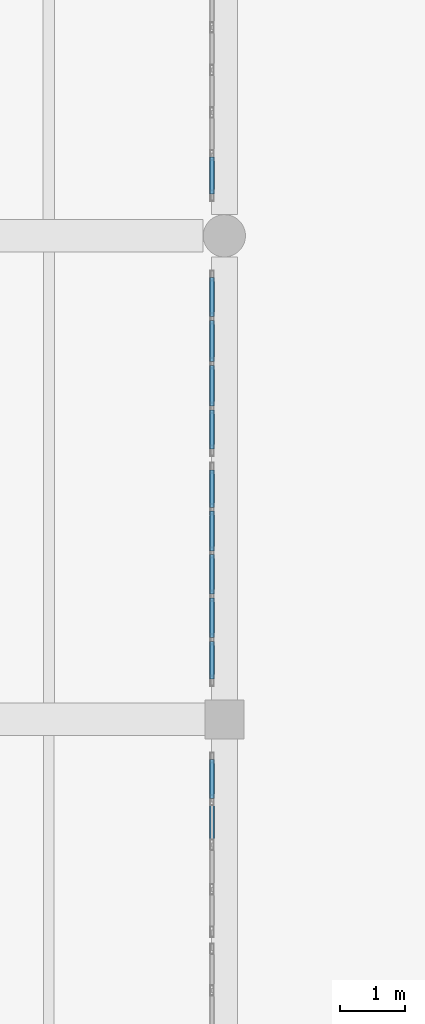
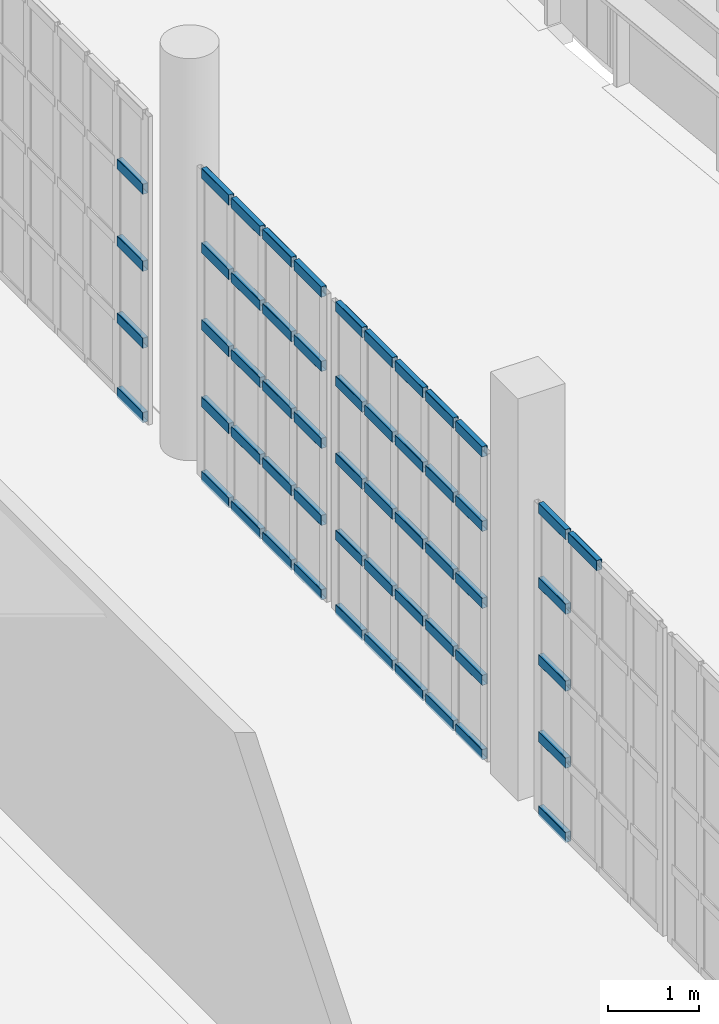
# One storey, part 296 of 372: 55 members, 4 elements without a shape of their own.
"""IFC4 building model written with IfcOpenShell, lengths in metres."""

from ifc_helpers import new_model, si_unit, direction, frame, origin, origin_2d, place, context, subcontext, project, spatial, hollow_rectangle, extrude, material, material_profile, profile_set, type_object, element, aggregate, save


model = new_model("IFC4")

# Units and contexts
model_context = context("Model", 3, precision=1e-05, world=origin(), true_north=direction((0.0, 1.0)))
body_context = subcontext(model_context, "Body", "Model", "MODEL_VIEW")
ifc_project = project(units=[si_unit("LENGTHUNIT", "METRE"), si_unit("AREAUNIT", "SQUARE_METRE"), si_unit("VOLUMEUNIT", "CUBIC_METRE"), si_unit("PLANEANGLEUNIT", "RADIAN"), si_unit("MASSUNIT", "GRAM", prefix="KILO")], contexts=[model_context])

# Site, building, storey
site_placement = place(None, origin())
site = spatial("IfcSite", under=ifc_project, at=site_placement, CompositionType="ELEMENT")
building_placement = place(site_placement, origin())
building = spatial("IfcBuilding", under=site, at=building_placement, Name="Kaelora Sail Theatre", CompositionType="ELEMENT")
storey_placement = place(building_placement, origin())
storey = spatial("IfcBuildingStorey", under=building, at=storey_placement, Name="L00", CompositionType="ELEMENT", Elevation=0.0)

# Curtain wall, members
ifc_material_1 = material(Name="Anodised aluminium and solar-control low-E IGU", Category="aluminium")
curtain_wall_type = type_object("IfcCurtainWallType", Name="ARC-CW-CW-FOY2", PredefinedType="NOTDEFINED", material=ifc_material_1)
curtain_wall_1_placement = place(storey_placement, origin())
curtain_wall_1 = element("IfcCurtainWall", 1, at=curtain_wall_1_placement, inside=storey, type_object=curtain_wall_type, Name="Glazed Colonnade/Courtyard Curtain Wall COLW-E-L00-02", PredefinedType="NOTDEFINED")
ifc_material_2 = material(Name="Anodised aluminium 6063-T6", Category="aluminium")
ifc_material_profile = material_profile(ifc_material_2, hollow_rectangle(XDim=0.070068359375, YDim=0.139892578125, WallThickness=0.00390625, InnerFilletRadius=0.00390625, OuterFilletRadius=0.008056640625, at=origin_2d()), Name="ALU-TRAN 70x140x4")
ifc_profile_set = profile_set([ifc_material_profile], Name="Anodised aluminium 6063-T6")
member_type = type_object("IfcMemberType", Name="ARC-MEM-TR-140", PredefinedType="USERDEFINED", material=ifc_profile_set)
member_1_placement = place(storey_placement, frame((17.510009765625, 36.800048828125, 4.10205078125), z_axis=(0.0, 1.0, 0.0), x_axis=(-1.0, 0.0, 0.0)))
member_1 = element("IfcMember", 2, at=member_1_placement, type_object=member_type, Name="CW-FOY2 transom 3.5", ObjectType="TRANSOM", PredefinedType="USERDEFINED", context=body_context, shape_type="SweptSolid", body=[
    extrude(hollow_rectangle(XDim=0.070068359375, YDim=0.139892578125, WallThickness=0.00390625, InnerFilletRadius=0.00390625, OuterFilletRadius=0.008056640625, at=origin_2d()), origin(), (0.0, 0.0, 1.0), 0.625),
])
member_2_placement = place(storey_placement, frame((17.510009765625, 37.485107421875, 0.034912109375), z_axis=(0.0, 1.0, 0.0), x_axis=(-1.0, 0.0, 0.0)))
member_2 = element("IfcMember", 3, at=member_2_placement, type_object=member_type, Name="CW-FOY2 transom 4.1", ObjectType="TRANSOM", PredefinedType="USERDEFINED", context=body_context, shape_type="SweptSolid", body=[
    extrude(hollow_rectangle(XDim=0.070068359375, YDim=0.139892578125, WallThickness=0.00390625, InnerFilletRadius=0.00390625, OuterFilletRadius=0.008056640625, at=origin_2d()), origin(), (0.0, 0.0, 1.0), 0.594970703125),
])
member_3_placement = place(storey_placement, frame((17.510009765625, 37.485107421875, 1.0341796875), z_axis=(0.0, 1.0, 0.0), x_axis=(-1.0, 0.0, 0.0)))
member_3 = element("IfcMember", 4, at=member_3_placement, type_object=member_type, Name="CW-FOY2 transom 4.2", ObjectType="TRANSOM", PredefinedType="USERDEFINED", context=body_context, shape_type="SweptSolid", body=[
    extrude(hollow_rectangle(XDim=0.070068359375, YDim=0.139892578125, WallThickness=0.00390625, InnerFilletRadius=0.00390625, OuterFilletRadius=0.008056640625, at=origin_2d()), origin(), (0.0, 0.0, 1.0), 0.594970703125),
])
member_4_placement = place(storey_placement, frame((17.510009765625, 37.485107421875, 2.068603515625), z_axis=(0.0, 1.0, 0.0), x_axis=(-1.0, 0.0, 0.0)))
member_4 = element("IfcMember", 5, at=member_4_placement, type_object=member_type, Name="CW-FOY2 transom 4.3", ObjectType="TRANSOM", PredefinedType="USERDEFINED", context=body_context, shape_type="SweptSolid", body=[
    extrude(hollow_rectangle(XDim=0.070068359375, YDim=0.139892578125, WallThickness=0.00390625, InnerFilletRadius=0.00390625, OuterFilletRadius=0.008056640625, at=origin_2d()), origin(), (0.0, 0.0, 1.0), 0.594970703125),
])
member_5_placement = place(storey_placement, frame((17.510009765625, 37.485107421875, 3.102783203125), z_axis=(0.0, 1.0, 0.0), x_axis=(-1.0, 0.0, 0.0)))
member_5 = element("IfcMember", 6, at=member_5_placement, type_object=member_type, Name="CW-FOY2 transom 4.4", ObjectType="TRANSOM", PredefinedType="USERDEFINED", context=body_context, shape_type="SweptSolid", body=[
    extrude(hollow_rectangle(XDim=0.070068359375, YDim=0.139892578125, WallThickness=0.00390625, InnerFilletRadius=0.00390625, OuterFilletRadius=0.008056640625, at=origin_2d()), origin(), (0.0, 0.0, 1.0), 0.594970703125),
])
member_6_placement = place(storey_placement, frame((17.510009765625, 37.485107421875, 4.10205078125), z_axis=(0.0, 1.0, 0.0), x_axis=(-1.0, 0.0, 0.0)))
member_6 = element("IfcMember", 7, at=member_6_placement, type_object=member_type, Name="CW-FOY2 transom 4.5", ObjectType="TRANSOM", PredefinedType="USERDEFINED", context=body_context, shape_type="SweptSolid", body=[
    extrude(hollow_rectangle(XDim=0.070068359375, YDim=0.139892578125, WallThickness=0.00390625, InnerFilletRadius=0.00390625, OuterFilletRadius=0.008056640625, at=origin_2d()), origin(), (0.0, 0.0, 1.0), 0.594970703125),
])
aggregate(curtain_wall_1, [member_1, member_2, member_3, member_4, member_5, member_6])

curtain_wall_2_placement = place(storey_placement, origin())
curtain_wall_2 = element("IfcCurtainWall", 8, at=curtain_wall_2_placement, inside=storey, type_object=curtain_wall_type, Name="Glazed Colonnade/Courtyard Curtain Wall COLW-E-L00-03", PredefinedType="NOTDEFINED")
member_7_placement = place(storey_placement, frame((17.510009765625, 39.320068359375, 0.034912109375), z_axis=(0.0, 1.0, 0.0), x_axis=(-1.0, 0.0, 0.0)))
member_7 = element("IfcMember", 9, at=member_7_placement, type_object=member_type, Name="CW-FOY2 transom 1.1", ObjectType="TRANSOM", PredefinedType="USERDEFINED", context=body_context, shape_type="SweptSolid", body=[
    extrude(hollow_rectangle(XDim=0.070068359375, YDim=0.139892578125, WallThickness=0.00390625, InnerFilletRadius=0.00390625, OuterFilletRadius=0.008056640625, at=origin_2d()), origin(), (0.0, 0.0, 1.0), 0.577880859375),
])
member_8_placement = place(storey_placement, frame((17.510009765625, 39.320068359375, 1.0341796875), z_axis=(0.0, 1.0, 0.0), x_axis=(-1.0, 0.0, 0.0)))
member_8 = element("IfcMember", 10, at=member_8_placement, type_object=member_type, Name="CW-FOY2 transom 1.2", ObjectType="TRANSOM", PredefinedType="USERDEFINED", context=body_context, shape_type="SweptSolid", body=[
    extrude(hollow_rectangle(XDim=0.070068359375, YDim=0.139892578125, WallThickness=0.00390625, InnerFilletRadius=0.00390625, OuterFilletRadius=0.008056640625, at=origin_2d()), origin(), (0.0, 0.0, 1.0), 0.577880859375),
])
member_9_placement = place(storey_placement, frame((17.510009765625, 39.320068359375, 2.068603515625), z_axis=(0.0, 1.0, 0.0), x_axis=(-1.0, 0.0, 0.0)))
member_9 = element("IfcMember", 11, at=member_9_placement, type_object=member_type, Name="CW-FOY2 transom 1.3", ObjectType="TRANSOM", PredefinedType="USERDEFINED", context=body_context, shape_type="SweptSolid", body=[
    extrude(hollow_rectangle(XDim=0.070068359375, YDim=0.139892578125, WallThickness=0.00390625, InnerFilletRadius=0.00390625, OuterFilletRadius=0.008056640625, at=origin_2d()), origin(), (0.0, 0.0, 1.0), 0.577880859375),
])
member_10_placement = place(storey_placement, frame((17.510009765625, 39.320068359375, 3.102783203125), z_axis=(0.0, 1.0, 0.0), x_axis=(-1.0, 0.0, 0.0)))
member_10 = element("IfcMember", 12, at=member_10_placement, type_object=member_type, Name="CW-FOY2 transom 1.4", ObjectType="TRANSOM", PredefinedType="USERDEFINED", context=body_context, shape_type="SweptSolid", body=[
    extrude(hollow_rectangle(XDim=0.070068359375, YDim=0.139892578125, WallThickness=0.00390625, InnerFilletRadius=0.00390625, OuterFilletRadius=0.008056640625, at=origin_2d()), origin(), (0.0, 0.0, 1.0), 0.577880859375),
])
member_11_placement = place(storey_placement, frame((17.510009765625, 39.320068359375, 4.10205078125), z_axis=(0.0, 1.0, 0.0), x_axis=(-1.0, 0.0, 0.0)))
member_11 = element("IfcMember", 13, at=member_11_placement, type_object=member_type, Name="CW-FOY2 transom 1.5", ObjectType="TRANSOM", PredefinedType="USERDEFINED", context=body_context, shape_type="SweptSolid", body=[
    extrude(hollow_rectangle(XDim=0.070068359375, YDim=0.139892578125, WallThickness=0.00390625, InnerFilletRadius=0.00390625, OuterFilletRadius=0.008056640625, at=origin_2d()), origin(), (0.0, 0.0, 1.0), 0.577880859375),
])
member_12_placement = place(storey_placement, frame((17.510009765625, 39.9580078125, 0.034912109375), z_axis=(0.0, 1.0, 0.0), x_axis=(-1.0, 0.0, 0.0)))
member_12 = element("IfcMember", 14, at=member_12_placement, type_object=member_type, Name="CW-FOY2 transom 2.1", ObjectType="TRANSOM", PredefinedType="USERDEFINED", context=body_context, shape_type="SweptSolid", body=[
    extrude(hollow_rectangle(XDim=0.070068359375, YDim=0.139892578125, WallThickness=0.00390625, InnerFilletRadius=0.00390625, OuterFilletRadius=0.008056640625, at=origin_2d()), origin(), (0.0, 0.0, 1.0), 0.60791015625),
])
member_13_placement = place(storey_placement, frame((17.510009765625, 39.9580078125, 1.0341796875), z_axis=(0.0, 1.0, 0.0), x_axis=(-1.0, 0.0, 0.0)))
member_13 = element("IfcMember", 15, at=member_13_placement, type_object=member_type, Name="CW-FOY2 transom 2.2", ObjectType="TRANSOM", PredefinedType="USERDEFINED", context=body_context, shape_type="SweptSolid", body=[
    extrude(hollow_rectangle(XDim=0.070068359375, YDim=0.139892578125, WallThickness=0.00390625, InnerFilletRadius=0.00390625, OuterFilletRadius=0.008056640625, at=origin_2d()), origin(), (0.0, 0.0, 1.0), 0.60791015625),
])
member_14_placement = place(storey_placement, frame((17.510009765625, 39.9580078125, 2.068603515625), z_axis=(0.0, 1.0, 0.0), x_axis=(-1.0, 0.0, 0.0)))
member_14 = element("IfcMember", 16, at=member_14_placement, type_object=member_type, Name="CW-FOY2 transom 2.3", ObjectType="TRANSOM", PredefinedType="USERDEFINED", context=body_context, shape_type="SweptSolid", body=[
    extrude(hollow_rectangle(XDim=0.070068359375, YDim=0.139892578125, WallThickness=0.00390625, InnerFilletRadius=0.00390625, OuterFilletRadius=0.008056640625, at=origin_2d()), origin(), (0.0, 0.0, 1.0), 0.60791015625),
])
member_15_placement = place(storey_placement, frame((17.510009765625, 39.9580078125, 3.102783203125), z_axis=(0.0, 1.0, 0.0), x_axis=(-1.0, 0.0, 0.0)))
member_15 = element("IfcMember", 17, at=member_15_placement, type_object=member_type, Name="CW-FOY2 transom 2.4", ObjectType="TRANSOM", PredefinedType="USERDEFINED", context=body_context, shape_type="SweptSolid", body=[
    extrude(hollow_rectangle(XDim=0.070068359375, YDim=0.139892578125, WallThickness=0.00390625, InnerFilletRadius=0.00390625, OuterFilletRadius=0.008056640625, at=origin_2d()), origin(), (0.0, 0.0, 1.0), 0.60791015625),
])
member_16_placement = place(storey_placement, frame((17.510009765625, 39.9580078125, 4.10205078125), z_axis=(0.0, 1.0, 0.0), x_axis=(-1.0, 0.0, 0.0)))
member_16 = element("IfcMember", 18, at=member_16_placement, type_object=member_type, Name="CW-FOY2 transom 2.5", ObjectType="TRANSOM", PredefinedType="USERDEFINED", context=body_context, shape_type="SweptSolid", body=[
    extrude(hollow_rectangle(XDim=0.070068359375, YDim=0.139892578125, WallThickness=0.00390625, InnerFilletRadius=0.00390625, OuterFilletRadius=0.008056640625, at=origin_2d()), origin(), (0.0, 0.0, 1.0), 0.60791015625),
])
member_17_placement = place(storey_placement, frame((17.510009765625, 40.6259765625, 0.034912109375), z_axis=(0.0, 1.0, 0.0), x_axis=(-1.0, 0.0, 0.0)))
member_17 = element("IfcMember", 19, at=member_17_placement, type_object=member_type, Name="CW-FOY2 transom 3.1", ObjectType="TRANSOM", PredefinedType="USERDEFINED", context=body_context, shape_type="SweptSolid", body=[
    extrude(hollow_rectangle(XDim=0.070068359375, YDim=0.139892578125, WallThickness=0.00390625, InnerFilletRadius=0.00390625, OuterFilletRadius=0.008056640625, at=origin_2d()), origin(), (0.0, 0.0, 1.0), 0.60791015625),
])
member_18_placement = place(storey_placement, frame((17.510009765625, 40.6259765625, 1.0341796875), z_axis=(0.0, 1.0, 0.0), x_axis=(-1.0, 0.0, 0.0)))
member_18 = element("IfcMember", 20, at=member_18_placement, type_object=member_type, Name="CW-FOY2 transom 3.2", ObjectType="TRANSOM", PredefinedType="USERDEFINED", context=body_context, shape_type="SweptSolid", body=[
    extrude(hollow_rectangle(XDim=0.070068359375, YDim=0.139892578125, WallThickness=0.00390625, InnerFilletRadius=0.00390625, OuterFilletRadius=0.008056640625, at=origin_2d()), origin(), (0.0, 0.0, 1.0), 0.60791015625),
])
member_19_placement = place(storey_placement, frame((17.510009765625, 40.6259765625, 2.068603515625), z_axis=(0.0, 1.0, 0.0), x_axis=(-1.0, 0.0, 0.0)))
member_19 = element("IfcMember", 21, at=member_19_placement, type_object=member_type, Name="CW-FOY2 transom 3.3", ObjectType="TRANSOM", PredefinedType="USERDEFINED", context=body_context, shape_type="SweptSolid", body=[
    extrude(hollow_rectangle(XDim=0.070068359375, YDim=0.139892578125, WallThickness=0.00390625, InnerFilletRadius=0.00390625, OuterFilletRadius=0.008056640625, at=origin_2d()), origin(), (0.0, 0.0, 1.0), 0.60791015625),
])
member_20_placement = place(storey_placement, frame((17.510009765625, 40.6259765625, 3.102783203125), z_axis=(0.0, 1.0, 0.0), x_axis=(-1.0, 0.0, 0.0)))
member_20 = element("IfcMember", 22, at=member_20_placement, type_object=member_type, Name="CW-FOY2 transom 3.4", ObjectType="TRANSOM", PredefinedType="USERDEFINED", context=body_context, shape_type="SweptSolid", body=[
    extrude(hollow_rectangle(XDim=0.070068359375, YDim=0.139892578125, WallThickness=0.00390625, InnerFilletRadius=0.00390625, OuterFilletRadius=0.008056640625, at=origin_2d()), origin(), (0.0, 0.0, 1.0), 0.60791015625),
])
member_21_placement = place(storey_placement, frame((17.510009765625, 40.6259765625, 4.10205078125), z_axis=(0.0, 1.0, 0.0), x_axis=(-1.0, 0.0, 0.0)))
member_21 = element("IfcMember", 23, at=member_21_placement, type_object=member_type, Name="CW-FOY2 transom 3.5", ObjectType="TRANSOM", PredefinedType="USERDEFINED", context=body_context, shape_type="SweptSolid", body=[
    extrude(hollow_rectangle(XDim=0.070068359375, YDim=0.139892578125, WallThickness=0.00390625, InnerFilletRadius=0.00390625, OuterFilletRadius=0.008056640625, at=origin_2d()), origin(), (0.0, 0.0, 1.0), 0.60791015625),
])
member_22_placement = place(storey_placement, frame((17.510009765625, 41.2939453125, 0.034912109375), z_axis=(0.0, 1.0, 0.0), x_axis=(-1.0, 0.0, 0.0)))
member_22 = element("IfcMember", 24, at=member_22_placement, type_object=member_type, Name="CW-FOY2 transom 4.1", ObjectType="TRANSOM", PredefinedType="USERDEFINED", context=body_context, shape_type="SweptSolid", body=[
    extrude(hollow_rectangle(XDim=0.070068359375, YDim=0.139892578125, WallThickness=0.00390625, InnerFilletRadius=0.00390625, OuterFilletRadius=0.008056640625, at=origin_2d()), origin(), (0.0, 0.0, 1.0), 0.608154296875),
])
member_23_placement = place(storey_placement, frame((17.510009765625, 41.2939453125, 1.0341796875), z_axis=(0.0, 1.0, 0.0), x_axis=(-1.0, 0.0, 0.0)))
member_23 = element("IfcMember", 25, at=member_23_placement, type_object=member_type, Name="CW-FOY2 transom 4.2", ObjectType="TRANSOM", PredefinedType="USERDEFINED", context=body_context, shape_type="SweptSolid", body=[
    extrude(hollow_rectangle(XDim=0.070068359375, YDim=0.139892578125, WallThickness=0.00390625, InnerFilletRadius=0.00390625, OuterFilletRadius=0.008056640625, at=origin_2d()), origin(), (0.0, 0.0, 1.0), 0.608154296875),
])
member_24_placement = place(storey_placement, frame((17.510009765625, 41.2939453125, 2.068603515625), z_axis=(0.0, 1.0, 0.0), x_axis=(-1.0, 0.0, 0.0)))
member_24 = element("IfcMember", 26, at=member_24_placement, type_object=member_type, Name="CW-FOY2 transom 4.3", ObjectType="TRANSOM", PredefinedType="USERDEFINED", context=body_context, shape_type="SweptSolid", body=[
    extrude(hollow_rectangle(XDim=0.070068359375, YDim=0.139892578125, WallThickness=0.00390625, InnerFilletRadius=0.00390625, OuterFilletRadius=0.008056640625, at=origin_2d()), origin(), (0.0, 0.0, 1.0), 0.608154296875),
])
member_25_placement = place(storey_placement, frame((17.510009765625, 41.2939453125, 3.102783203125), z_axis=(0.0, 1.0, 0.0), x_axis=(-1.0, 0.0, 0.0)))
member_25 = element("IfcMember", 27, at=member_25_placement, type_object=member_type, Name="CW-FOY2 transom 4.4", ObjectType="TRANSOM", PredefinedType="USERDEFINED", context=body_context, shape_type="SweptSolid", body=[
    extrude(hollow_rectangle(XDim=0.070068359375, YDim=0.139892578125, WallThickness=0.00390625, InnerFilletRadius=0.00390625, OuterFilletRadius=0.008056640625, at=origin_2d()), origin(), (0.0, 0.0, 1.0), 0.608154296875),
])
member_26_placement = place(storey_placement, frame((17.510009765625, 41.2939453125, 4.10205078125), z_axis=(0.0, 1.0, 0.0), x_axis=(-1.0, 0.0, 0.0)))
member_26 = element("IfcMember", 28, at=member_26_placement, type_object=member_type, Name="CW-FOY2 transom 4.5", ObjectType="TRANSOM", PredefinedType="USERDEFINED", context=body_context, shape_type="SweptSolid", body=[
    extrude(hollow_rectangle(XDim=0.070068359375, YDim=0.139892578125, WallThickness=0.00390625, InnerFilletRadius=0.00390625, OuterFilletRadius=0.008056640625, at=origin_2d()), origin(), (0.0, 0.0, 1.0), 0.608154296875),
])
member_27_placement = place(storey_placement, frame((17.510009765625, 41.9619140625, 0.034912109375), z_axis=(0.0, 1.0, 0.0), x_axis=(-1.0, 0.0, 0.0)))
member_27 = element("IfcMember", 29, at=member_27_placement, type_object=member_type, Name="CW-FOY2 transom 5.1", ObjectType="TRANSOM", PredefinedType="USERDEFINED", context=body_context, shape_type="SweptSolid", body=[
    extrude(hollow_rectangle(XDim=0.070068359375, YDim=0.139892578125, WallThickness=0.00390625, InnerFilletRadius=0.00390625, OuterFilletRadius=0.008056640625, at=origin_2d()), origin(), (0.0, 0.0, 1.0), 0.578125),
])
member_28_placement = place(storey_placement, frame((17.510009765625, 41.9619140625, 1.0341796875), z_axis=(0.0, 1.0, 0.0), x_axis=(-1.0, 0.0, 0.0)))
member_28 = element("IfcMember", 30, at=member_28_placement, type_object=member_type, Name="CW-FOY2 transom 5.2", ObjectType="TRANSOM", PredefinedType="USERDEFINED", context=body_context, shape_type="SweptSolid", body=[
    extrude(hollow_rectangle(XDim=0.070068359375, YDim=0.139892578125, WallThickness=0.00390625, InnerFilletRadius=0.00390625, OuterFilletRadius=0.008056640625, at=origin_2d()), origin(), (0.0, 0.0, 1.0), 0.578125),
])
member_29_placement = place(storey_placement, frame((17.510009765625, 41.9619140625, 2.068603515625), z_axis=(0.0, 1.0, 0.0), x_axis=(-1.0, 0.0, 0.0)))
member_29 = element("IfcMember", 31, at=member_29_placement, type_object=member_type, Name="CW-FOY2 transom 5.3", ObjectType="TRANSOM", PredefinedType="USERDEFINED", context=body_context, shape_type="SweptSolid", body=[
    extrude(hollow_rectangle(XDim=0.070068359375, YDim=0.139892578125, WallThickness=0.00390625, InnerFilletRadius=0.00390625, OuterFilletRadius=0.008056640625, at=origin_2d()), origin(), (0.0, 0.0, 1.0), 0.578125),
])
member_30_placement = place(storey_placement, frame((17.510009765625, 41.9619140625, 3.102783203125), z_axis=(0.0, 1.0, 0.0), x_axis=(-1.0, 0.0, 0.0)))
member_30 = element("IfcMember", 32, at=member_30_placement, type_object=member_type, Name="CW-FOY2 transom 5.4", ObjectType="TRANSOM", PredefinedType="USERDEFINED", context=body_context, shape_type="SweptSolid", body=[
    extrude(hollow_rectangle(XDim=0.070068359375, YDim=0.139892578125, WallThickness=0.00390625, InnerFilletRadius=0.00390625, OuterFilletRadius=0.008056640625, at=origin_2d()), origin(), (0.0, 0.0, 1.0), 0.578125),
])
member_31_placement = place(storey_placement, frame((17.510009765625, 41.9619140625, 4.10205078125), z_axis=(0.0, 1.0, 0.0), x_axis=(-1.0, 0.0, 0.0)))
member_31 = element("IfcMember", 33, at=member_31_placement, type_object=member_type, Name="CW-FOY2 transom 5.5", ObjectType="TRANSOM", PredefinedType="USERDEFINED", context=body_context, shape_type="SweptSolid", body=[
    extrude(hollow_rectangle(XDim=0.070068359375, YDim=0.139892578125, WallThickness=0.00390625, InnerFilletRadius=0.00390625, OuterFilletRadius=0.008056640625, at=origin_2d()), origin(), (0.0, 0.0, 1.0), 0.578125),
])
aggregate(curtain_wall_2, [member_7, member_8, member_9, member_10, member_11, member_12, member_13, member_14, member_15, member_16, member_17, member_18, member_19, member_20, member_21, member_22, member_23, member_24, member_25, member_26, member_27, member_28, member_29, member_30, member_31])

curtain_wall_3_placement = place(storey_placement, origin())
curtain_wall_3 = element("IfcCurtainWall", 34, at=curtain_wall_3_placement, inside=storey, type_object=curtain_wall_type, Name="Glazed Colonnade/Courtyard Curtain Wall COLW-E-L00-04", PredefinedType="NOTDEFINED")
member_32_placement = place(storey_placement, frame((17.510009765625, 42.860107421875, 0.034912109375), z_axis=(0.0, 1.0, 0.0), x_axis=(-1.0, 0.0, 0.0)))
member_32 = element("IfcMember", 35, at=member_32_placement, type_object=member_type, Name="CW-FOY2 transom 1.1", ObjectType="TRANSOM", PredefinedType="USERDEFINED", context=body_context, shape_type="SweptSolid", body=[
    extrude(hollow_rectangle(XDim=0.070068359375, YDim=0.139892578125, WallThickness=0.00390625, InnerFilletRadius=0.00390625, OuterFilletRadius=0.008056640625, at=origin_2d()), origin(), (0.0, 0.0, 1.0), 0.5986328125),
])
member_33_placement = place(storey_placement, frame((17.510009765625, 42.860107421875, 1.0341796875), z_axis=(0.0, 1.0, 0.0), x_axis=(-1.0, 0.0, 0.0)))
member_33 = element("IfcMember", 36, at=member_33_placement, type_object=member_type, Name="CW-FOY2 transom 1.2", ObjectType="TRANSOM", PredefinedType="USERDEFINED", context=body_context, shape_type="SweptSolid", body=[
    extrude(hollow_rectangle(XDim=0.070068359375, YDim=0.139892578125, WallThickness=0.00390625, InnerFilletRadius=0.00390625, OuterFilletRadius=0.008056640625, at=origin_2d()), origin(), (0.0, 0.0, 1.0), 0.5986328125),
])
member_34_placement = place(storey_placement, frame((17.510009765625, 42.860107421875, 2.068603515625), z_axis=(0.0, 1.0, 0.0), x_axis=(-1.0, 0.0, 0.0)))
member_34 = element("IfcMember", 37, at=member_34_placement, type_object=member_type, Name="CW-FOY2 transom 1.3", ObjectType="TRANSOM", PredefinedType="USERDEFINED", context=body_context, shape_type="SweptSolid", body=[
    extrude(hollow_rectangle(XDim=0.070068359375, YDim=0.139892578125, WallThickness=0.00390625, InnerFilletRadius=0.00390625, OuterFilletRadius=0.008056640625, at=origin_2d()), origin(), (0.0, 0.0, 1.0), 0.5986328125),
])
member_35_placement = place(storey_placement, frame((17.510009765625, 42.860107421875, 3.102783203125), z_axis=(0.0, 1.0, 0.0), x_axis=(-1.0, 0.0, 0.0)))
member_35 = element("IfcMember", 38, at=member_35_placement, type_object=member_type, Name="CW-FOY2 transom 1.4", ObjectType="TRANSOM", PredefinedType="USERDEFINED", context=body_context, shape_type="SweptSolid", body=[
    extrude(hollow_rectangle(XDim=0.070068359375, YDim=0.139892578125, WallThickness=0.00390625, InnerFilletRadius=0.00390625, OuterFilletRadius=0.008056640625, at=origin_2d()), origin(), (0.0, 0.0, 1.0), 0.5986328125),
])
member_36_placement = place(storey_placement, frame((17.510009765625, 42.860107421875, 4.10205078125), z_axis=(0.0, 1.0, 0.0), x_axis=(-1.0, 0.0, 0.0)))
member_36 = element("IfcMember", 39, at=member_36_placement, type_object=member_type, Name="CW-FOY2 transom 1.5", ObjectType="TRANSOM", PredefinedType="USERDEFINED", context=body_context, shape_type="SweptSolid", body=[
    extrude(hollow_rectangle(XDim=0.070068359375, YDim=0.139892578125, WallThickness=0.00390625, InnerFilletRadius=0.00390625, OuterFilletRadius=0.008056640625, at=origin_2d()), origin(), (0.0, 0.0, 1.0), 0.5986328125),
])
member_37_placement = place(storey_placement, frame((17.510009765625, 43.518798828125, 0.034912109375), z_axis=(0.0, 1.0, 0.0), x_axis=(-1.0, 0.0, 0.0)))
member_37 = element("IfcMember", 40, at=member_37_placement, type_object=member_type, Name="CW-FOY2 transom 2.1", ObjectType="TRANSOM", PredefinedType="USERDEFINED", context=body_context, shape_type="SweptSolid", body=[
    extrude(hollow_rectangle(XDim=0.070068359375, YDim=0.139892578125, WallThickness=0.00390625, InnerFilletRadius=0.00390625, OuterFilletRadius=0.008056640625, at=origin_2d()), origin(), (0.0, 0.0, 1.0), 0.628662109375),
])
member_38_placement = place(storey_placement, frame((17.510009765625, 43.518798828125, 1.0341796875), z_axis=(0.0, 1.0, 0.0), x_axis=(-1.0, 0.0, 0.0)))
member_38 = element("IfcMember", 41, at=member_38_placement, type_object=member_type, Name="CW-FOY2 transom 2.2", ObjectType="TRANSOM", PredefinedType="USERDEFINED", context=body_context, shape_type="SweptSolid", body=[
    extrude(hollow_rectangle(XDim=0.070068359375, YDim=0.139892578125, WallThickness=0.00390625, InnerFilletRadius=0.00390625, OuterFilletRadius=0.008056640625, at=origin_2d()), origin(), (0.0, 0.0, 1.0), 0.628662109375),
])
member_39_placement = place(storey_placement, frame((17.510009765625, 43.518798828125, 2.068603515625), z_axis=(0.0, 1.0, 0.0), x_axis=(-1.0, 0.0, 0.0)))
member_39 = element("IfcMember", 42, at=member_39_placement, type_object=member_type, Name="CW-FOY2 transom 2.3", ObjectType="TRANSOM", PredefinedType="USERDEFINED", context=body_context, shape_type="SweptSolid", body=[
    extrude(hollow_rectangle(XDim=0.070068359375, YDim=0.139892578125, WallThickness=0.00390625, InnerFilletRadius=0.00390625, OuterFilletRadius=0.008056640625, at=origin_2d()), origin(), (0.0, 0.0, 1.0), 0.628662109375),
])
member_40_placement = place(storey_placement, frame((17.510009765625, 43.518798828125, 3.102783203125), z_axis=(0.0, 1.0, 0.0), x_axis=(-1.0, 0.0, 0.0)))
member_40 = element("IfcMember", 43, at=member_40_placement, type_object=member_type, Name="CW-FOY2 transom 2.4", ObjectType="TRANSOM", PredefinedType="USERDEFINED", context=body_context, shape_type="SweptSolid", body=[
    extrude(hollow_rectangle(XDim=0.070068359375, YDim=0.139892578125, WallThickness=0.00390625, InnerFilletRadius=0.00390625, OuterFilletRadius=0.008056640625, at=origin_2d()), origin(), (0.0, 0.0, 1.0), 0.628662109375),
])
member_41_placement = place(storey_placement, frame((17.510009765625, 43.518798828125, 4.10205078125), z_axis=(0.0, 1.0, 0.0), x_axis=(-1.0, 0.0, 0.0)))
member_41 = element("IfcMember", 44, at=member_41_placement, type_object=member_type, Name="CW-FOY2 transom 2.5", ObjectType="TRANSOM", PredefinedType="USERDEFINED", context=body_context, shape_type="SweptSolid", body=[
    extrude(hollow_rectangle(XDim=0.070068359375, YDim=0.139892578125, WallThickness=0.00390625, InnerFilletRadius=0.00390625, OuterFilletRadius=0.008056640625, at=origin_2d()), origin(), (0.0, 0.0, 1.0), 0.628662109375),
])
member_42_placement = place(storey_placement, frame((17.510009765625, 44.20751953125, 0.034912109375), z_axis=(0.0, 1.0, 0.0), x_axis=(-1.0, 0.0, 0.0)))
member_42 = element("IfcMember", 45, at=member_42_placement, type_object=member_type, Name="CW-FOY2 transom 3.1", ObjectType="TRANSOM", PredefinedType="USERDEFINED", context=body_context, shape_type="SweptSolid", body=[
    extrude(hollow_rectangle(XDim=0.070068359375, YDim=0.139892578125, WallThickness=0.00390625, InnerFilletRadius=0.00390625, OuterFilletRadius=0.008056640625, at=origin_2d()), origin(), (0.0, 0.0, 1.0), 0.628662109375),
])
member_43_placement = place(storey_placement, frame((17.510009765625, 44.20751953125, 1.0341796875), z_axis=(0.0, 1.0, 0.0), x_axis=(-1.0, 0.0, 0.0)))
member_43 = element("IfcMember", 46, at=member_43_placement, type_object=member_type, Name="CW-FOY2 transom 3.2", ObjectType="TRANSOM", PredefinedType="USERDEFINED", context=body_context, shape_type="SweptSolid", body=[
    extrude(hollow_rectangle(XDim=0.070068359375, YDim=0.139892578125, WallThickness=0.00390625, InnerFilletRadius=0.00390625, OuterFilletRadius=0.008056640625, at=origin_2d()), origin(), (0.0, 0.0, 1.0), 0.628662109375),
])
member_44_placement = place(storey_placement, frame((17.510009765625, 44.20751953125, 2.068603515625), z_axis=(0.0, 1.0, 0.0), x_axis=(-1.0, 0.0, 0.0)))
member_44 = element("IfcMember", 47, at=member_44_placement, type_object=member_type, Name="CW-FOY2 transom 3.3", ObjectType="TRANSOM", PredefinedType="USERDEFINED", context=body_context, shape_type="SweptSolid", body=[
    extrude(hollow_rectangle(XDim=0.070068359375, YDim=0.139892578125, WallThickness=0.00390625, InnerFilletRadius=0.00390625, OuterFilletRadius=0.008056640625, at=origin_2d()), origin(), (0.0, 0.0, 1.0), 0.628662109375),
])
member_45_placement = place(storey_placement, frame((17.510009765625, 44.20751953125, 3.102783203125), z_axis=(0.0, 1.0, 0.0), x_axis=(-1.0, 0.0, 0.0)))
member_45 = element("IfcMember", 48, at=member_45_placement, type_object=member_type, Name="CW-FOY2 transom 3.4", ObjectType="TRANSOM", PredefinedType="USERDEFINED", context=body_context, shape_type="SweptSolid", body=[
    extrude(hollow_rectangle(XDim=0.070068359375, YDim=0.139892578125, WallThickness=0.00390625, InnerFilletRadius=0.00390625, OuterFilletRadius=0.008056640625, at=origin_2d()), origin(), (0.0, 0.0, 1.0), 0.628662109375),
])
member_46_placement = place(storey_placement, frame((17.510009765625, 44.20751953125, 4.10205078125), z_axis=(0.0, 1.0, 0.0), x_axis=(-1.0, 0.0, 0.0)))
member_46 = element("IfcMember", 49, at=member_46_placement, type_object=member_type, Name="CW-FOY2 transom 3.5", ObjectType="TRANSOM", PredefinedType="USERDEFINED", context=body_context, shape_type="SweptSolid", body=[
    extrude(hollow_rectangle(XDim=0.070068359375, YDim=0.139892578125, WallThickness=0.00390625, InnerFilletRadius=0.00390625, OuterFilletRadius=0.008056640625, at=origin_2d()), origin(), (0.0, 0.0, 1.0), 0.628662109375),
])
member_47_placement = place(storey_placement, frame((17.510009765625, 44.896240234375, 0.034912109375), z_axis=(0.0, 1.0, 0.0), x_axis=(-1.0, 0.0, 0.0)))
member_47 = element("IfcMember", 50, at=member_47_placement, type_object=member_type, Name="CW-FOY2 transom 4.1", ObjectType="TRANSOM", PredefinedType="USERDEFINED", context=body_context, shape_type="SweptSolid", body=[
    extrude(hollow_rectangle(XDim=0.070068359375, YDim=0.139892578125, WallThickness=0.00390625, InnerFilletRadius=0.00390625, OuterFilletRadius=0.008056640625, at=origin_2d()), origin(), (0.0, 0.0, 1.0), 0.598876953125),
])
member_48_placement = place(storey_placement, frame((17.510009765625, 44.896240234375, 1.0341796875), z_axis=(0.0, 1.0, 0.0), x_axis=(-1.0, 0.0, 0.0)))
member_48 = element("IfcMember", 51, at=member_48_placement, type_object=member_type, Name="CW-FOY2 transom 4.2", ObjectType="TRANSOM", PredefinedType="USERDEFINED", context=body_context, shape_type="SweptSolid", body=[
    extrude(hollow_rectangle(XDim=0.070068359375, YDim=0.139892578125, WallThickness=0.00390625, InnerFilletRadius=0.00390625, OuterFilletRadius=0.008056640625, at=origin_2d()), origin(), (0.0, 0.0, 1.0), 0.598876953125),
])
member_49_placement = place(storey_placement, frame((17.510009765625, 44.896240234375, 2.068603515625), z_axis=(0.0, 1.0, 0.0), x_axis=(-1.0, 0.0, 0.0)))
member_49 = element("IfcMember", 52, at=member_49_placement, type_object=member_type, Name="CW-FOY2 transom 4.3", ObjectType="TRANSOM", PredefinedType="USERDEFINED", context=body_context, shape_type="SweptSolid", body=[
    extrude(hollow_rectangle(XDim=0.070068359375, YDim=0.139892578125, WallThickness=0.00390625, InnerFilletRadius=0.00390625, OuterFilletRadius=0.008056640625, at=origin_2d()), origin(), (0.0, 0.0, 1.0), 0.598876953125),
])
member_50_placement = place(storey_placement, frame((17.510009765625, 44.896240234375, 3.102783203125), z_axis=(0.0, 1.0, 0.0), x_axis=(-1.0, 0.0, 0.0)))
member_50 = element("IfcMember", 53, at=member_50_placement, type_object=member_type, Name="CW-FOY2 transom 4.4", ObjectType="TRANSOM", PredefinedType="USERDEFINED", context=body_context, shape_type="SweptSolid", body=[
    extrude(hollow_rectangle(XDim=0.070068359375, YDim=0.139892578125, WallThickness=0.00390625, InnerFilletRadius=0.00390625, OuterFilletRadius=0.008056640625, at=origin_2d()), origin(), (0.0, 0.0, 1.0), 0.598876953125),
])
member_51_placement = place(storey_placement, frame((17.510009765625, 44.896240234375, 4.10205078125), z_axis=(0.0, 1.0, 0.0), x_axis=(-1.0, 0.0, 0.0)))
member_51 = element("IfcMember", 54, at=member_51_placement, type_object=member_type, Name="CW-FOY2 transom 4.5", ObjectType="TRANSOM", PredefinedType="USERDEFINED", context=body_context, shape_type="SweptSolid", body=[
    extrude(hollow_rectangle(XDim=0.070068359375, YDim=0.139892578125, WallThickness=0.00390625, InnerFilletRadius=0.00390625, OuterFilletRadius=0.008056640625, at=origin_2d()), origin(), (0.0, 0.0, 1.0), 0.598876953125),
])
aggregate(curtain_wall_3, [member_32, member_33, member_34, member_35, member_36, member_37, member_38, member_39, member_40, member_41, member_42, member_43, member_44, member_45, member_46, member_47, member_48, member_49, member_50, member_51])

curtain_wall_4_placement = place(storey_placement, origin())
curtain_wall_4 = element("IfcCurtainWall", 55, at=curtain_wall_4_placement, inside=storey, type_object=curtain_wall_type, Name="Glazed Colonnade/Courtyard Curtain Wall COLW-E-L00-05", PredefinedType="NOTDEFINED")
member_52_placement = place(storey_placement, frame((17.510009765625, 46.784912109375, 0.034912109375), z_axis=(0.0, 1.0, 0.0), x_axis=(-1.0, 0.0, 0.0)))
member_52 = element("IfcMember", 56, at=member_52_placement, type_object=member_type, Name="CW-FOY2 transom 1.1", ObjectType="TRANSOM", PredefinedType="USERDEFINED", context=body_context, shape_type="SweptSolid", body=[
    extrude(hollow_rectangle(XDim=0.070068359375, YDim=0.139892578125, WallThickness=0.00390625, InnerFilletRadius=0.00390625, OuterFilletRadius=0.008056640625, at=origin_2d()), origin(), (0.0, 0.0, 1.0), 0.565185546875),
])
member_53_placement = place(storey_placement, frame((17.510009765625, 46.784912109375, 1.0341796875), z_axis=(0.0, 1.0, 0.0), x_axis=(-1.0, 0.0, 0.0)))
member_53 = element("IfcMember", 57, at=member_53_placement, type_object=member_type, Name="CW-FOY2 transom 1.2", ObjectType="TRANSOM", PredefinedType="USERDEFINED", context=body_context, shape_type="SweptSolid", body=[
    extrude(hollow_rectangle(XDim=0.070068359375, YDim=0.139892578125, WallThickness=0.00390625, InnerFilletRadius=0.00390625, OuterFilletRadius=0.008056640625, at=origin_2d()), origin(), (0.0, 0.0, 1.0), 0.565185546875),
])
member_54_placement = place(storey_placement, frame((17.510009765625, 46.784912109375, 2.068603515625), z_axis=(0.0, 1.0, 0.0), x_axis=(-1.0, 0.0, 0.0)))
member_54 = element("IfcMember", 58, at=member_54_placement, type_object=member_type, Name="CW-FOY2 transom 1.3", ObjectType="TRANSOM", PredefinedType="USERDEFINED", context=body_context, shape_type="SweptSolid", body=[
    extrude(hollow_rectangle(XDim=0.070068359375, YDim=0.139892578125, WallThickness=0.00390625, InnerFilletRadius=0.00390625, OuterFilletRadius=0.008056640625, at=origin_2d()), origin(), (0.0, 0.0, 1.0), 0.565185546875),
])
member_55_placement = place(storey_placement, frame((17.510009765625, 46.784912109375, 3.102783203125), z_axis=(0.0, 1.0, 0.0), x_axis=(-1.0, 0.0, 0.0)))
member_55 = element("IfcMember", 59, at=member_55_placement, type_object=member_type, Name="CW-FOY2 transom 1.4", ObjectType="TRANSOM", PredefinedType="USERDEFINED", context=body_context, shape_type="SweptSolid", body=[
    extrude(hollow_rectangle(XDim=0.070068359375, YDim=0.139892578125, WallThickness=0.00390625, InnerFilletRadius=0.00390625, OuterFilletRadius=0.008056640625, at=origin_2d()), origin(), (0.0, 0.0, 1.0), 0.565185546875),
])
aggregate(curtain_wall_4, [member_52, member_53, member_54, member_55])

save(model, "model.ifc")
